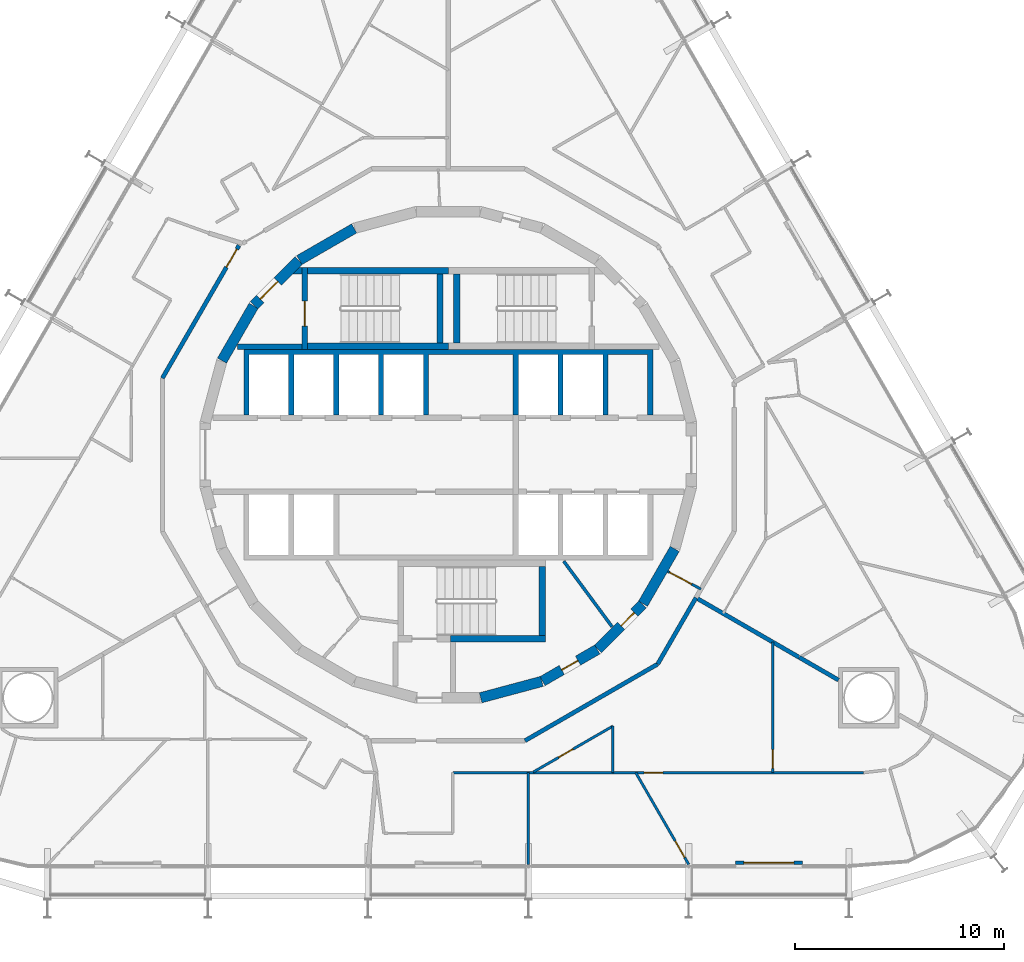
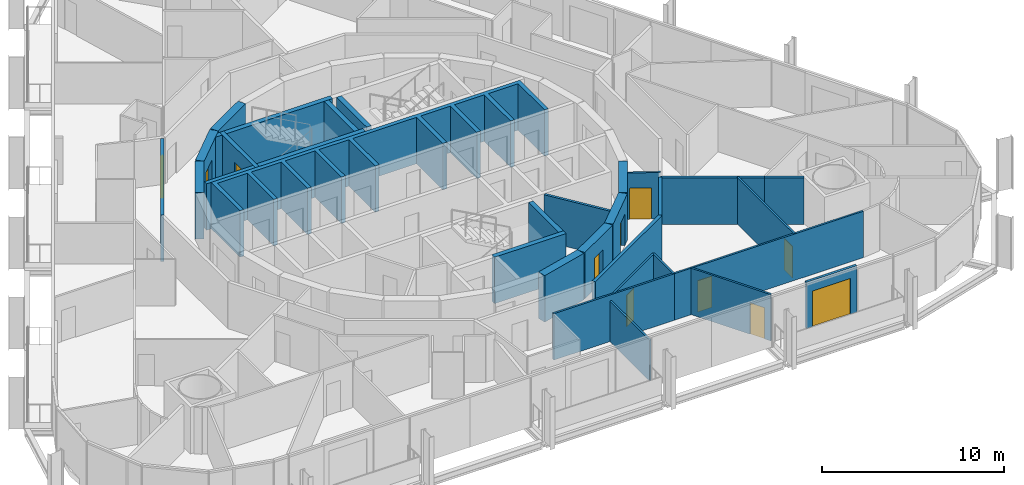
# One storey, part 15 of 21: 32 walls, 11 doors, 11 openings.
"""IFC4 building model written with IfcOpenShell, lengths in metres."""

from ifc_helpers import new_model, si_unit, direction, frame, frame_2d, origin, place, context, subcontext, project, spatial, polyline, rectangle, outline, extrude, material, layer, layer_set, type_object, element, fill, save


model = new_model("IFC4")

# Units and contexts
model_context = context("Model", 3, precision=1e-05, world=origin(), true_north=direction((0.0, 1.0)))
body_context = subcontext(model_context, "Body", "Model", "MODEL_VIEW")
ifc_project = project(units=[si_unit("LENGTHUNIT", "METRE"), si_unit("AREAUNIT", "SQUARE_METRE"), si_unit("VOLUMEUNIT", "CUBIC_METRE"), si_unit("PLANEANGLEUNIT", "RADIAN"), si_unit("MASSUNIT", "GRAM", prefix="KILO")], contexts=[model_context])

# Site, building, storey
site_placement = place(None, origin())
site = spatial("IfcSite", under=ifc_project, at=site_placement, CompositionType="ELEMENT")
building_placement = place(site_placement, origin())
building = spatial("IfcBuilding", under=site, at=building_placement, Name="Spindle Arch Residences", CompositionType="ELEMENT")
storey_placement = place(building_placement, frame((0.0, 0.0, 62.89990234375)))
storey = spatial("IfcBuildingStorey", under=building, at=storey_placement, Name="L14", CompositionType="ELEMENT", Elevation=62.89990234375)

# Wall
ifc_material_1 = material(Name="Concrete C50/60", Category="concrete")
ifc_layer_1 = layer(ifc_material_1, 0.5)
ifc_layer_set_1 = layer_set([ifc_layer_1], Name="Core outline wall 500")
wall_type_1 = type_object("IfcWallType", Name="Core outline wall 500", PredefinedType="SHEAR", material=ifc_layer_set_1)
wall_1_placement = place(storey_placement, frame((1.5498046875, -11.642822265625, 0.0), z_axis=(0.0, 0.0, 1.0), x_axis=(0.965948410781, 0.258734743916, 0.0)))
element("IfcWall", 1, at=wall_1_placement, inside=storey, type_object=wall_type_1, Name="Core outline wall 1", PredefinedType="SHEAR", context=body_context, shape_type="SweptSolid", body=[
    extrude(rectangle(XDim=3.03271484375, YDim=0.5, at=frame_2d((1.516357421875, 0.0))), origin(), (0.0, 0.0, 1.0), 3.1201171875),
])

# Wall, opening, door
wall_2_placement = place(storey_placement, frame((4.510498046875, -10.84521484375, 0.0), z_axis=(0.0, 0.0, 1.0), x_axis=(0.865975092491, 0.500087131594, 0.0)))
wall_2 = element("IfcWall", 2, at=wall_2_placement, inside=storey, type_object=wall_type_1, Name="Core outline wall 2", PredefinedType="SHEAR", context=body_context, shape_type="SweptSolid", body=[
    extrude(rectangle(XDim=3.03271484375, YDim=0.5, at=frame_2d((1.516357421875, 0.0))), origin(), (0.0, 0.0, 1.0), 3.1201171875),
])
opening_1_placement = place(wall_2_placement, frame((1.06640625, 0.0, 0.0)))
opening_1 = element("IfcOpeningElement", 3, at=opening_1_placement, cuts=wall_2, Name="Opening R1C1-WD06", PredefinedType="OPENING", context=body_context, shape_type="SweptSolid", body=[
    extrude(rectangle(XDim=0.89990234375, YDim=2.10009765625, at=frame_2d((0.449951171875, 1.050048828125))), frame((0.0, 0.260009765625, 0.0), z_axis=(0.0, -1.0, 0.0), x_axis=(1.0, 0.0, 0.0)), (0.0, 0.0, 1.0), 0.52001953125),
])
ifc_material_2 = material(Name="Steel, fire-resisting door", Category="steel")
door_type_1 = type_object("IfcDoorType", Name="Service room door 900x2100", OperationType="SINGLE_SWING_LEFT", PredefinedType="DOOR", material=ifc_material_2)
door_1_placement = place(opening_1_placement, origin())
door_1 = element("IfcDoor", 4, at=door_1_placement, inside=storey, type_object=door_type_1, Name="Service room door R1C1-WD06", OperationType="SINGLE_SWING_LEFT", OverallHeight=2.10009765625, OverallWidth=0.89990234375, PredefinedType="DOOR", context=body_context, shape_type="SweptSolid", body=[
    extrude(rectangle(XDim=0.89990234375, YDim=2.10009765625, at=frame_2d((0.449951171875, 1.050048828125))), frame((0.0, 0.02490234375, 0.0), z_axis=(0.0, -1.0, 0.0), x_axis=(1.0, 0.0, 0.0)), (0.0, 0.0, 1.0), 0.050048828125),
])
fill(opening_1, door_1)

wall_3_placement = place(storey_placement, frame((7.163818359375, -9.30810546875, 0.0), z_axis=(0.0, 0.0, 1.0), x_axis=(0.707106781187, 0.707106781187, 0.0)))
wall_3 = element("IfcWall", 5, at=wall_3_placement, inside=storey, type_object=wall_type_1, Name="Core outline wall 3", PredefinedType="SHEAR", context=body_context, shape_type="SweptSolid", body=[
    extrude(rectangle(XDim=3.032470703125, YDim=0.5, at=frame_2d((1.51611328125, 0.0))), origin(), (0.0, 0.0, 1.0), 3.1201171875),
])
opening_2_placement = place(wall_3_placement, frame((1.56640625, 0.0, 0.0)))
opening_2 = element("IfcOpeningElement", 6, at=opening_2_placement, cuts=wall_3, Name="Opening R1C1-WD07", PredefinedType="OPENING", context=body_context, shape_type="SweptSolid", body=[
    extrude(rectangle(XDim=0.89990234375, YDim=2.10009765625, at=frame_2d((0.449951171875, 1.050048828125))), frame((0.0, 0.260009765625, 0.0), z_axis=(0.0, -1.0, 0.0), x_axis=(1.0, 0.0, 0.0)), (0.0, 0.0, 1.0), 0.52001953125),
])
door_2_placement = place(opening_2_placement, origin())
door_2 = element("IfcDoor", 7, at=door_2_placement, inside=storey, type_object=door_type_1, Name="Service room door R1C1-WD07", OperationType="SINGLE_SWING_RIGHT", OverallHeight=2.10009765625, OverallWidth=0.89990234375, PredefinedType="DOOR", context=body_context, shape_type="SweptSolid", body=[
    extrude(rectangle(XDim=0.89990234375, YDim=2.10009765625, at=frame_2d((0.449951171875, 1.050048828125))), frame((0.0, 0.02490234375, 0.0), z_axis=(0.0, -1.0, 0.0), x_axis=(1.0, 0.0, 0.0)), (0.0, 0.0, 1.0), 0.050048828125),
])
fill(opening_2, door_2)

# Walls
for number, where, z_axis, x_axis, name in (
    (8, (9.32861328125, -7.13671875, 0.0), (0.0, 0.0, 1.0), (0.500087131594, 0.865975092491, 0.0), "Core outline wall 4"),
    (9, (-4.510498046875, 10.84521484375, 0.0), (0.0, 0.0, 1.0), (-0.865975092491, -0.500087131594, 0.0), "Core outline wall 14"),
):
    element("IfcWall", number, at=place(storey_placement, frame(where, z_axis=z_axis, x_axis=x_axis)), inside=storey, type_object=wall_type_1, Name=name, PredefinedType="SHEAR", context=body_context, shape_type="SweptSolid", body=[
        extrude(rectangle(XDim=3.03271484375, YDim=0.5, at=frame_2d((1.516357421875, 0.0))), origin(), (0.0, 0.0, 1.0), 3.1201171875),
    ])

# Wall, opening, door
wall_4_placement = place(storey_placement, frame((-7.163818359375, 9.30810546875, 0.0), z_axis=(0.0, 0.0, 1.0), x_axis=(-0.707106781187, -0.707106781187, 0.0)))
wall_4 = element("IfcWall", 10, at=wall_4_placement, inside=storey, type_object=wall_type_1, Name="Core outline wall 15", PredefinedType="SHEAR", context=body_context, shape_type="SweptSolid", body=[
    extrude(rectangle(XDim=3.032470703125, YDim=0.5, at=frame_2d((1.51611328125, 0.0))), origin(), (0.0, 0.0, 1.0), 3.1201171875),
])
opening_3_placement = place(wall_4_placement, frame((1.416259765625, 0.0, 0.0)))
opening_3 = element("IfcOpeningElement", 11, at=opening_3_placement, cuts=wall_4, Name="Opening R1C1-AD02", PredefinedType="OPENING", context=body_context, shape_type="SweptSolid", body=[
    extrude(rectangle(XDim=1.199951171875, YDim=2.10009765625, at=frame_2d((0.60009765625, 1.050048828125))), frame((0.0, 0.260009765625, 0.0), z_axis=(0.0, -1.0, 0.0), x_axis=(1.0, 0.0, 0.0)), (0.0, 0.0, 1.0), 0.52001953125),
])
ifc_material_3 = material(Name="Steel, fire-resisting door", Category="steel")
door_type_2 = type_object("IfcDoorType", Name="Stair airlock door 1200x2100", OperationType="SINGLE_SWING_LEFT", PredefinedType="DOOR", material=ifc_material_3)
door_3_placement = place(opening_3_placement, origin())
door_3 = element("IfcDoor", 12, at=door_3_placement, inside=storey, type_object=door_type_2, Name="Stair airlock door R1C1-AD02", OperationType="SINGLE_SWING_RIGHT", OverallHeight=2.10009765625, OverallWidth=1.199951171875, PredefinedType="DOOR", context=body_context, shape_type="SweptSolid", body=[
    extrude(rectangle(XDim=1.199951171875, YDim=2.10009765625, at=frame_2d((0.60009765625, 1.050048828125))), frame((0.0, 0.02490234375, 0.0), z_axis=(0.0, -1.0, 0.0), x_axis=(1.0, 0.0, 0.0)), (0.0, 0.0, 1.0), 0.050048828125),
])
fill(opening_3, door_3)

# Wall
wall_5_placement = place(storey_placement, frame((-9.32861328125, 7.13671875, 0.0), z_axis=(0.0, 0.0, 1.0), x_axis=(-0.500087131594, -0.865975092491, 0.0)))
element("IfcWall", 13, at=wall_5_placement, inside=storey, type_object=wall_type_1, Name="Core outline wall 16", PredefinedType="SHEAR", context=body_context, shape_type="SweptSolid", body=[
    extrude(rectangle(XDim=3.03271484375, YDim=0.5, at=frame_2d((1.516357421875, 0.0))), origin(), (0.0, 0.0, 1.0), 3.1201171875),
])

# Wall, opening, door
ifc_material_4 = material(Name="Plasterboard on steel studs", Category="steel")
ifc_layer_2 = layer(ifc_material_4, 0.1201171875)
ifc_layer_set_2 = layer_set([ifc_layer_2], Name="Corridor division wall 120")
wall_type_2 = type_object("IfcWallType", Name="Corridor division wall 120", PredefinedType="PARTITIONING", material=ifc_layer_set_2)
wall_6_placement = place(storey_placement, frame((10.510986328125, -5.5888671875, 0.0), z_axis=(0.0, 0.0, 1.0), x_axis=(0.88294043061, -0.469485032769, 0.0)))
wall_6 = element("IfcWall", 14, at=wall_6_placement, inside=storey, type_object=wall_type_2, Name="Corridor division wall R1C1-W002", PredefinedType="PARTITIONING", context=body_context, shape_type="SweptSolid", body=[
    extrude(rectangle(XDim=1.803955078125, YDim=0.1201171875, at=frame_2d((0.90185546875, 0.0))), origin(), (0.0, 0.0, 1.0), 3.1201171875),
])
opening_4_placement = place(wall_6_placement, frame((0.10009765625, 0.0, 0.0)))
opening_4 = element("IfcOpeningElement", 15, at=opening_4_placement, cuts=wall_6, Name="Opening R1C1-CD02", PredefinedType="OPENING", context=body_context, shape_type="SweptSolid", body=[
    extrude(rectangle(XDim=1.199951171875, YDim=2.10009765625, at=frame_2d((0.60009765625, 1.050048828125))), frame((0.0, 0.070068359375, 0.0), z_axis=(0.0, -1.0, 0.0), x_axis=(1.0, 0.0, 0.0)), (0.0, 0.0, 1.0), 0.14013671875),
])
ifc_material_5 = material(Name="Steel, fire-resisting door", Category="steel")
door_type_3 = type_object("IfcDoorType", Name="Corridor division door 1200x2100", OperationType="NOTDEFINED", PredefinedType="DOOR", material=ifc_material_5)
door_4_placement = place(opening_4_placement, origin())
door_4 = element("IfcDoor", 16, at=door_4_placement, inside=storey, type_object=door_type_3, Name="Corridor division door R1C1-CD02", OperationType="DOUBLE_DOOR_SINGLE_SWING", OverallHeight=2.10009765625, OverallWidth=1.199951171875, PredefinedType="DOOR", context=body_context, shape_type="SweptSolid", body=[
    extrude(rectangle(XDim=1.199951171875, YDim=2.10009765625, at=frame_2d((0.60009765625, 1.050048828125))), frame((0.0, 0.02490234375, 0.0), z_axis=(0.0, -1.0, 0.0), x_axis=(1.0, 0.0, 0.0)), (0.0, 0.0, 1.0), 0.050048828125),
])
fill(opening_4, door_4)

ifc_material_6 = material(Name="Calcium silicate block, plastered")
ifc_layer_3 = layer(ifc_material_6, 0.199951171875)
ifc_layer_set_3 = layer_set([ifc_layer_3], Name="Corridor wall 200")
wall_type_3 = type_object("IfcWallType", Name="Corridor wall 200", PredefinedType="STANDARD", material=ifc_layer_set_3)
wall_7_placement = place(storey_placement, frame((-10.029052734375, 10.029052734375, 0.0), z_axis=(0.0, 0.0, 1.0), x_axis=(-0.500001669485, -0.866024439905, 0.0)))
wall_7 = element("IfcWall", 17, at=wall_7_placement, inside=storey, type_object=wall_type_3, Name="Corridor wall R1C1-W010", PredefinedType="STANDARD", context=body_context, shape_type="SweptSolid", body=[
    extrude(rectangle(XDim=7.341796875, YDim=0.199951171875, at=frame_2d((3.6708984375, 0.0))), origin(), (0.0, 0.0, 1.0), 3.1201171875),
])
opening_5_placement = place(wall_7_placement, frame((0.199951171875, 0.0, 0.0)))
opening_5 = element("IfcOpeningElement", 18, at=opening_5_placement, cuts=wall_7, Name="Opening R1C1-FD03", PredefinedType="OPENING", context=body_context, shape_type="SweptSolid", body=[
    extrude(rectangle(XDim=1.0, YDim=2.10009765625, at=frame_2d((0.5, 1.050048828125))), frame((0.0, 0.10986328125, 0.0), z_axis=(0.0, -1.0, 0.0), x_axis=(1.0, 0.0, 0.0)), (0.0, 0.0, 1.0), 0.219970703125),
])
ifc_material_7 = material(Name="Timber, fire-resisting door set", Category="wood")
door_type_4 = type_object("IfcDoorType", Name="Flat entrance door 1000x2100", OperationType="NOTDEFINED", PredefinedType="DOOR", material=ifc_material_7)
door_5_placement = place(opening_5_placement, origin())
door_5 = element("IfcDoor", 19, at=door_5_placement, inside=storey, type_object=door_type_4, Name="Flat entrance door R1C1-FD03", OperationType="SINGLE_SWING_LEFT", OverallHeight=2.10009765625, OverallWidth=1.0, PredefinedType="DOOR", context=body_context, shape_type="SweptSolid", body=[
    extrude(rectangle(XDim=1.0, YDim=2.10009765625, at=frame_2d((0.5, 1.050048828125))), frame((0.0, 0.02490234375, 0.0), z_axis=(0.0, -1.0, 0.0), x_axis=(1.0, 0.0, 0.0)), (0.0, 0.0, 1.0), 0.050048828125),
])
fill(opening_5, door_5)

# Walls
wall_8_placement = place(storey_placement, frame((3.6708984375, -13.699951171875, 0.0), z_axis=(0.0, 0.0, 1.0), x_axis=(0.866024439905, 0.500001669485, 0.0)))
element("IfcWall", 20, at=wall_8_placement, inside=storey, type_object=wall_type_3, Name="Corridor wall R1C1-W015", PredefinedType="STANDARD", context=body_context, shape_type="SweptSolid", body=[
    extrude(rectangle(XDim=7.341796875, YDim=0.199951171875, at=frame_2d((3.6708984375, 0.0))), origin(), (0.0, 0.0, 1.0), 3.1201171875),
])
wall_9_placement = place(storey_placement, frame((10.029052734375, -10.029052734375, 0.0), z_axis=(0.0, 0.0, 1.0), x_axis=(0.50001606911, 0.866016126081, 0.0)))
element("IfcWall", 21, at=wall_9_placement, inside=storey, type_object=wall_type_3, Name="Corridor wall R1C1-W016", PredefinedType="STANDARD", context=body_context, shape_type="SweptSolid", body=[
    extrude(rectangle(XDim=3.6708984375, YDim=0.199951171875, at=frame_2d((1.83544921875, 0.0))), origin(), (0.0, 0.0, 1.0), 3.1201171875),
])
ifc_material_8 = material(Name="Plasterboard on steel studs", Category="steel")
ifc_layer_4 = layer(ifc_material_8, 0.1201171875)
ifc_layer_set_4 = layer_set([ifc_layer_4], Name="Flat partition 120")
wall_type_4 = type_object("IfcWallType", Name="Flat partition 120", PredefinedType="PARTITIONING", material=ifc_layer_set_4)
wall_10_placement = place(storey_placement, frame((0.21484375, -15.22998046875, 0.0), z_axis=(0.0, 0.0, 1.0), x_axis=(1.0, 0.0, 0.0)))
element("IfcWall", 22, at=wall_10_placement, inside=storey, type_object=wall_type_4, Name="Flat partition R1C1-W099", PredefinedType="PARTITIONING", context=body_context, shape_type="SweptSolid", body=[
    extrude(rectangle(XDim=7.66650390625, YDim=0.1201171875, at=frame_2d((3.833251953125, 0.0))), origin(), (0.0, 0.0, 1.0), 3.1201171875),
])

# Wall, opening, door
wall_11_placement = place(storey_placement, frame((7.88134765625, -15.22998046875, 0.0), z_axis=(0.0, 0.0, 1.0), x_axis=(1.0, 0.0, 0.0)))
wall_11 = element("IfcWall", 23, at=wall_11_placement, inside=storey, type_object=wall_type_4, Name="Flat partition R1C1-W100", PredefinedType="PARTITIONING", context=body_context, shape_type="SweptSolid", body=[
    extrude(rectangle(XDim=12.006103515625, YDim=0.1201171875, at=frame_2d((6.0029296875, 0.0))), origin(), (0.0, 0.0, 1.0), 3.1201171875),
])
opening_6_placement = place(wall_11_placement, frame((1.49853515625, 0.0, 0.0)))
opening_6 = element("IfcOpeningElement", 24, at=opening_6_placement, cuts=wall_11, Name="Opening R1C1-ID25", PredefinedType="OPENING", context=body_context, shape_type="SweptSolid", body=[
    extrude(rectangle(XDim=0.89990234375, YDim=2.10009765625, at=frame_2d((0.449951171875, 1.050048828125))), frame((0.0, 0.070068359375, 0.0), z_axis=(0.0, -1.0, 0.0), x_axis=(1.0, 0.0, 0.0)), (0.0, 0.0, 1.0), 0.14013671875),
])
ifc_material_9 = material(Name="Timber door set", Category="wood")
door_type_5 = type_object("IfcDoorType", Name="Room door 900x2100", OperationType="NOTDEFINED", PredefinedType="DOOR", material=ifc_material_9)
door_6_placement = place(opening_6_placement, origin())
door_6 = element("IfcDoor", 25, at=door_6_placement, inside=storey, type_object=door_type_5, Name="Room door R1C1-ID25", OperationType="SINGLE_SWING_RIGHT", OverallHeight=2.10009765625, OverallWidth=0.89990234375, PredefinedType="DOOR", context=body_context, shape_type="SweptSolid", body=[
    extrude(rectangle(XDim=0.89990234375, YDim=2.10009765625, at=frame_2d((0.449951171875, 1.050048828125))), frame((0.0, 0.02490234375, 0.0), z_axis=(0.0, -1.0, 0.0), x_axis=(1.0, 0.0, 0.0)), (0.0, 0.0, 1.0), 0.050048828125),
])
fill(opening_6, door_6)

wall_12_placement = place(storey_placement, frame((4.07275390625, -15.199951171875, 0.0), z_axis=(0.0, 0.0, 1.0), x_axis=(0.866041369968, 0.499972344739, 0.0)))
wall_12 = element("IfcWall", 26, at=wall_12_placement, inside=storey, type_object=wall_type_4, Name="Flat partition R1C1-W101", PredefinedType="PARTITIONING", context=body_context, shape_type="SweptSolid", body=[
    extrude(rectangle(XDim=4.397705078125, YDim=0.1201171875, at=frame_2d((2.19873046875, 0.0))), origin(), (0.0, 0.0, 1.0), 3.1201171875),
])
opening_7_placement = place(wall_12_placement, frame((1.39990234375, 0.0, 0.0)))
opening_7 = element("IfcOpeningElement", 27, at=opening_7_placement, cuts=wall_12, Name="Opening R1C1-BD06", PredefinedType="OPENING", context=body_context, shape_type="SweptSolid", body=[
    extrude(rectangle(XDim=0.800048828125, YDim=2.10009765625, at=frame_2d((0.39990234375, 1.050048828125))), frame((0.0, 0.070068359375, 0.0), z_axis=(0.0, -1.0, 0.0), x_axis=(1.0, 0.0, 0.0)), (0.0, 0.0, 1.0), 0.14013671875),
])
ifc_material_10 = material(Name="Timber door set", Category="wood")
door_type_6 = type_object("IfcDoorType", Name="Bathroom door 800x2100", OperationType="NOTDEFINED", PredefinedType="DOOR", material=ifc_material_10)
door_7_placement = place(opening_7_placement, origin())
door_7 = element("IfcDoor", 28, at=door_7_placement, inside=storey, type_object=door_type_6, Name="Bathroom door R1C1-BD06", OperationType="SINGLE_SWING_RIGHT", OverallHeight=2.10009765625, OverallWidth=0.800048828125, PredefinedType="DOOR", context=body_context, shape_type="SweptSolid", body=[
    extrude(rectangle(XDim=0.800048828125, YDim=2.10009765625, at=frame_2d((0.39990234375, 1.050048828125))), frame((0.0, 0.02490234375, 0.0), z_axis=(0.0, -1.0, 0.0), x_axis=(1.0, 0.0, 0.0)), (0.0, 0.0, 1.0), 0.050048828125),
])
fill(opening_7, door_7)

# Wall
wall_13_placement = place(storey_placement, frame((7.88134765625, -13.001220703125, 0.0), z_axis=(0.0, 0.0, 1.0), x_axis=(0.0, -1.0, 0.0)))
element("IfcWall", 29, at=wall_13_placement, inside=storey, type_object=wall_type_4, Name="Flat partition R1C1-W102", PredefinedType="PARTITIONING", context=body_context, shape_type="SweptSolid", body=[
    extrude(rectangle(XDim=2.228759765625, YDim=0.1201171875, at=frame_2d((1.1142578125, 0.0))), origin(), (0.0, 0.0, 1.0), 3.1201171875),
])

# Wall, opening, door
wall_14_placement = place(storey_placement, frame((15.5478515625, -15.22998046875, 0.0), z_axis=(0.0, 0.0, 1.0), x_axis=(0.0, 1.0, 0.0)))
wall_14 = element("IfcWall", 30, at=wall_14_placement, inside=storey, type_object=wall_type_4, Name="Flat partition R1C1-W103", PredefinedType="PARTITIONING", context=body_context, shape_type="SweptSolid", body=[
    extrude(rectangle(XDim=6.25341796875, YDim=0.1201171875, at=frame_2d((3.126708984375, 0.0))), origin(), (0.0, 0.0, 1.0), 3.1201171875),
])
opening_8_placement = place(wall_14_placement, frame((0.199951171875, 0.0, 0.0)))
opening_8 = element("IfcOpeningElement", 31, at=opening_8_placement, cuts=wall_14, Name="Opening R1C1-ID26", PredefinedType="OPENING", context=body_context, shape_type="SweptSolid", body=[
    extrude(rectangle(XDim=0.89990234375, YDim=2.10009765625, at=frame_2d((0.449951171875, 1.050048828125))), frame((0.0, 0.070068359375, 0.0), z_axis=(0.0, -1.0, 0.0), x_axis=(1.0, 0.0, 0.0)), (0.0, 0.0, 1.0), 0.14013671875),
])
door_8_placement = place(opening_8_placement, origin())
door_8 = element("IfcDoor", 32, at=door_8_placement, inside=storey, type_object=door_type_5, Name="Room door R1C1-ID26", OperationType="SINGLE_SWING_RIGHT", OverallHeight=2.10009765625, OverallWidth=0.89990234375, PredefinedType="DOOR", context=body_context, shape_type="SweptSolid", body=[
    extrude(rectangle(XDim=0.89990234375, YDim=2.10009765625, at=frame_2d((0.449951171875, 1.050048828125))), frame((0.0, 0.02490234375, 0.0), z_axis=(0.0, -1.0, 0.0), x_axis=(1.0, 0.0, 0.0)), (0.0, 0.0, 1.0), 0.050048828125),
])
fill(opening_8, door_8)

wall_15_placement = place(storey_placement, frame((11.52001953125, -19.6298828125, 0.0), z_axis=(0.0, 0.0, 1.0), x_axis=(-0.499999763888, 0.866025540104, 0.0)))
wall_15 = element("IfcWall", 33, at=wall_15_placement, inside=storey, type_object=wall_type_4, Name="Flat partition R1C1-W105", PredefinedType="PARTITIONING", context=body_context, shape_type="SweptSolid", body=[
    extrude(rectangle(XDim=5.08056640625, YDim=0.1201171875, at=frame_2d((2.540283203125, 0.0))), origin(), (0.0, 0.0, 1.0), 3.1201171875),
])
opening_9_placement = place(wall_15_placement, frame((0.39990234375, 0.0, 0.0)))
opening_9 = element("IfcOpeningElement", 34, at=opening_9_placement, cuts=wall_15, Name="Opening R1C1-ID27", PredefinedType="OPENING", context=body_context, shape_type="SweptSolid", body=[
    extrude(rectangle(XDim=0.89990234375, YDim=2.10009765625, at=frame_2d((0.449951171875, 1.050048828125))), frame((0.0, 0.070068359375, 0.0), z_axis=(0.0, -1.0, 0.0), x_axis=(1.0, 0.0, 0.0)), (0.0, 0.0, 1.0), 0.14013671875),
])
door_9_placement = place(opening_9_placement, origin())
door_9 = element("IfcDoor", 35, at=door_9_placement, inside=storey, type_object=door_type_5, Name="Room door R1C1-ID27", OperationType="SINGLE_SWING_LEFT", OverallHeight=2.10009765625, OverallWidth=0.89990234375, PredefinedType="DOOR", context=body_context, shape_type="SweptSolid", body=[
    extrude(rectangle(XDim=0.89990234375, YDim=2.10009765625, at=frame_2d((0.449951171875, 1.050048828125))), frame((0.0, 0.02490234375, 0.0), z_axis=(0.0, -1.0, 0.0), x_axis=(1.0, 0.0, 0.0)), (0.0, 0.0, 1.0), 0.050048828125),
])
fill(opening_9, door_9)

# Walls
ifc_material_11 = material(Name="Plasterboard on steel studs", Category="steel")
ifc_layer_5 = layer(ifc_material_11, 0.1201171875)
ifc_layer_set_5 = layer_set([ifc_layer_5], Name="Flat partition 120 under beam 2730")
wall_type_5 = type_object("IfcWallType", Name="Flat partition 120 under beam 2730", PredefinedType="PARTITIONING", material=ifc_layer_set_5)
wall_16_placement = place(storey_placement, frame((3.840087890625, -19.6298828125, 0.0), z_axis=(0.0, 0.0, 1.0), x_axis=(0.0, 1.0, 0.0)))
element("IfcWall", 36, at=wall_16_placement, inside=storey, type_object=wall_type_5, Name="Flat partition R1C1-W104", PredefinedType="PARTITIONING", context=body_context, shape_type="SweptSolid", body=[
    extrude(rectangle(XDim=4.39990234375, YDim=0.1201171875, at=frame_2d((2.199951171875, 0.0))), origin(), (0.0, 0.0, 1.0), 2.72998046875),
])
ifc_material_12 = material(Name="Calcium silicate block, plastered")
ifc_layer_6 = layer(ifc_material_12, 0.199951171875)
ifc_layer_set_6 = layer_set([ifc_layer_6], Name="Flat party wall 200")
wall_type_6 = type_object("IfcWallType", Name="Flat party wall 200", PredefinedType="STANDARD", material=ifc_layer_set_6)
wall_17_placement = place(storey_placement, frame((16.816650390625, -9.708984375, 0.0), z_axis=(0.0, 0.0, 1.0), x_axis=(-0.86604338933, 0.499968846828, 0.0)))
element("IfcWall", 37, at=wall_17_placement, inside=storey, type_object=wall_type_6, Name="Flat party wall R1C1-W029", PredefinedType="STANDARD", context=body_context, shape_type="SweptSolid", body=[
    extrude(rectangle(XDim=5.718017578125, YDim=0.199951171875, at=frame_2d((2.85888671875, 0.0))), origin(), (0.0, 0.0, 1.0), 3.1201171875),
])
wall_18_placement = place(storey_placement, frame((18.693603515625, -10.792724609375, 0.0), z_axis=(0.0, 0.0, 1.0), x_axis=(-0.866009251978, 0.500027974705, 0.0)))
element("IfcWall", 38, at=wall_18_placement, inside=storey, type_object=wall_type_6, Name="Flat party wall R1C1-W031", PredefinedType="STANDARD", context=body_context, shape_type="SweptSolid", body=[
    extrude(rectangle(XDim=2.16748046875, YDim=0.199951171875, at=frame_2d((1.083740234375, 0.0))), origin(), (0.0, 0.0, 1.0), 3.1201171875),
])

# Wall, opening, door
ifc_material_13 = material(Name="Non-combustible mineral wool insulated aluminium faced external wall (K0)", Category="aluminium")
ifc_layer_7 = layer(ifc_material_13, 0.159912109375)
ifc_layer_set_7 = layer_set([ifc_layer_7], Name="Insulated external wall panel 160")
wall_type_7 = type_object("IfcWallType", Name="Insulated external wall panel 160", PredefinedType="STANDARD", material=ifc_layer_set_7)
wall_19_placement = place(storey_placement, frame((13.76025390625, -19.5498046875, 0.0), z_axis=(0.0, 0.0, 1.0), x_axis=(1.0, 0.0, 0.0)))
wall_19 = element("IfcWall", 39, at=wall_19_placement, inside=storey, type_object=wall_type_7, Name="External wall L14 bay 2", PredefinedType="STANDARD", context=body_context, shape_type="SweptSolid", body=[
    extrude(rectangle(XDim=3.199951171875, YDim=0.159912109375, at=frame_2d((1.60009765625, 0.0))), origin(), (0.0, 0.0, 1.0), 3.1201171875),
])
opening_10_placement = place(wall_19_placement, frame((0.39990234375, 0.0, 0.0)))
opening_10 = element("IfcOpeningElement", 40, at=opening_10_placement, cuts=wall_19, Name="Opening BD02", PredefinedType="OPENING", context=body_context, shape_type="SweptSolid", body=[
    extrude(rectangle(XDim=2.39990234375, YDim=2.39990234375, at=frame_2d((1.199951171875, 1.199951171875))), frame((0.0, 0.08984375, 0.0), z_axis=(0.0, -1.0, 0.0), x_axis=(1.0, 0.0, 0.0)), (0.0, 0.0, 1.0), 0.179931640625),
])
ifc_material_14 = material(Name="Bronze aluminium frame, tinted double glazing", Category="aluminium")
door_type_7 = type_object("IfcDoorType", Name="Sliding glazed balcony door 2400x2400", OperationType="DOUBLE_DOOR_SLIDING", PredefinedType="DOOR", material=ifc_material_14)
door_10_placement = place(opening_10_placement, origin())
door_10 = element("IfcDoor", 41, at=door_10_placement, inside=storey, type_object=door_type_7, Name="Balcony door BD02", OperationType="DOUBLE_DOOR_SLIDING", OverallHeight=2.39990234375, OverallWidth=2.39990234375, PredefinedType="DOOR", context=body_context, shape_type="SweptSolid", body=[
    extrude(rectangle(XDim=2.39990234375, YDim=2.39990234375, at=frame_2d((1.199951171875, 1.199951171875))), frame((0.0, 0.02490234375, 0.0), z_axis=(0.0, -1.0, 0.0), x_axis=(1.0, 0.0, 0.0)), (0.0, 0.0, 1.0), 0.050048828125),
])
fill(opening_10, door_10)

# Walls
ifc_material_15 = material(Name="Concrete C50/60", Category="concrete")
wall_type_8 = type_object("IfcWallType", Name="Lift shaft wall profile", PredefinedType="SHEAR", material=ifc_material_15)
wall_20_placement = place(storey_placement, origin())
element("IfcWall", 42, at=wall_20_placement, inside=storey, type_object=wall_type_8, Name="Lift shaft walls N", PredefinedType="SHEAR", context=body_context, shape_type="SweptSolid", body=[
    extrude(outline(polyline([(-9.550048828125, 4.800048828125), (-7.64990234375, 4.800048828125), (-7.64990234375, 1.89990234375), (-7.39990234375, 1.89990234375), (-7.39990234375, 4.800048828125), (-5.5, 4.800048828125), (-5.5, 1.89990234375), (-5.25, 1.89990234375), (-5.25, 4.800048828125), (-3.35009765625, 4.800048828125), (-3.35009765625, 1.89990234375), (-3.10009765625, 1.89990234375), (-3.10009765625, 4.800048828125), (-1.199951171875, 4.800048828125), (-1.199951171875, 1.89990234375), (-0.949951171875, 1.89990234375), (-0.949951171875, 4.800048828125), (3.10009765625, 4.800048828125), (3.10009765625, 1.89990234375), (3.35009765625, 1.89990234375), (3.35009765625, 4.800048828125), (5.25, 4.800048828125), (5.25, 1.89990234375), (5.5, 1.89990234375), (5.5, 4.800048828125), (7.39990234375, 4.800048828125), (7.39990234375, 1.89990234375), (7.64990234375, 1.89990234375), (7.64990234375, 4.800048828125), (9.550048828125, 4.800048828125), (9.550048828125, 1.89990234375), (9.800048828125, 1.89990234375), (9.800048828125, 4.800048828125), (9.800048828125, 5.050048828125), (-9.800048828125, 5.050048828125), (-9.800048828125, 4.800048828125), (-9.800048828125, 1.89990234375), (-9.550048828125, 1.89990234375), (-9.550048828125, 4.800048828125)])), origin(), (0.0, 0.0, 1.0), 3.1201171875),
])
ifc_material_16 = material(Name="Concrete C25/30", Category="concrete")
ifc_layer_8 = layer(ifc_material_16, 0.14990234375)
ifc_layer_set_8 = layer_set([ifc_layer_8], Name="Service room partition 150")
wall_type_9 = type_object("IfcWallType", Name="Service room partition 150", PredefinedType="PARTITIONING", material=ifc_layer_set_8)
wall_21_placement = place(storey_placement, frame((5.528076171875, -5.098388671875, 0.0), z_axis=(0.0, 0.0, 1.0), x_axis=(0.594034318069, -0.804439698769, 0.0)))
element("IfcWall", 43, at=wall_21_placement, inside=storey, type_object=wall_type_9, Name="Core service room partition", PredefinedType="PARTITIONING", context=body_context, shape_type="SweptSolid", body=[
    extrude(rectangle(XDim=3.90673828125, YDim=0.14990234375, at=frame_2d((1.953369140625, 0.0))), origin(), (0.0, 0.0, 1.0), 3.1201171875),
])
ifc_material_17 = material(Name="Concrete C40/50", Category="concrete")
ifc_layer_9 = layer(ifc_material_17, 0.25)
ifc_layer_set_9 = layer_set([ifc_layer_9], Name="Stair airlock wall 250")
wall_type_10 = type_object("IfcWallType", Name="Stair airlock wall 250", PredefinedType="SHEAR", material=ifc_layer_set_9)
wall_22_placement = place(storey_placement, frame((-7.0, 5.175048828125, 0.0), z_axis=(0.0, 0.0, 1.0), x_axis=(-1.0, 0.0, 0.0)))
element("IfcWall", 44, at=wall_22_placement, inside=storey, type_object=wall_type_10, Name="Stair ST-2 airlock wall S", PredefinedType="SHEAR", context=body_context, shape_type="SweptSolid", body=[
    extrude(rectangle(XDim=3.10009765625, YDim=0.25, at=frame_2d((1.550048828125, 0.0))), origin(), (0.0, 0.0, 1.0), 3.1201171875),
])
ifc_material_18 = material(Name="Concrete C40/50", Category="concrete")
wall_type_11 = type_object("IfcWallType", Name="Stair airlock wall profile", PredefinedType="SHEAR", material=ifc_material_18)
wall_23_placement = place(storey_placement, origin())
element("IfcWall", 45, at=wall_23_placement, inside=storey, type_object=wall_type_11, Name="Stair ST-2 airlock wall N", PredefinedType="SHEAR", context=body_context, shape_type="SweptSolid", body=[
    extrude(outline(polyline([(-7.148193359375, 8.969970703125), (-7.0, 8.969970703125), (-7.0, 8.669921875), (-7.4482421875, 8.669921875), (-7.148193359375, 8.969970703125)])), origin(), (0.0, 0.0, 1.0), 3.1201171875),
])

# Wall, opening, door
ifc_material_19 = material(Name="Concrete C50/60", Category="concrete")
ifc_layer_10 = layer(ifc_material_19, 0.25)
ifc_layer_set_10 = layer_set([ifc_layer_10], Name="Stair enclosure wall 250")
wall_type_12 = type_object("IfcWallType", Name="Stair enclosure wall 250", PredefinedType="SHEAR", material=ifc_layer_set_10)
wall_24_placement = place(storey_placement, frame((-6.875, 8.969970703125, 0.0), z_axis=(0.0, 0.0, 1.0), x_axis=(0.0, -1.0, 0.0)))
wall_24 = element("IfcWall", 46, at=wall_24_placement, inside=storey, type_object=wall_type_12, Name="Stair ST-2 door wall", PredefinedType="SHEAR", context=body_context, shape_type="SweptSolid", body=[
    extrude(rectangle(XDim=3.919921875, YDim=0.25, at=frame_2d((1.9599609375, 0.0))), origin(), (0.0, 0.0, 1.0), 3.1201171875),
])
opening_11_placement = place(wall_24_placement, frame((1.610107421875, 0.0, 0.0)))
opening_11 = element("IfcOpeningElement", 47, at=opening_11_placement, cuts=wall_24, Name="Opening R1C1-SD02", PredefinedType="OPENING", context=body_context, shape_type="SweptSolid", body=[
    extrude(rectangle(XDim=1.199951171875, YDim=2.10009765625, at=frame_2d((0.60009765625, 1.050048828125))), frame((0.0, 0.135009765625, 0.0), z_axis=(0.0, -1.0, 0.0), x_axis=(1.0, 0.0, 0.0)), (0.0, 0.0, 1.0), 0.27001953125),
])
ifc_material_20 = material(Name="Steel, fire-resisting door", Category="steel")
door_type_8 = type_object("IfcDoorType", Name="Stair door 1200x2100", OperationType="SINGLE_SWING_RIGHT", PredefinedType="DOOR", material=ifc_material_20)
door_11_placement = place(opening_11_placement, origin())
door_11 = element("IfcDoor", 48, at=door_11_placement, inside=storey, type_object=door_type_8, Name="Stair door R1C1-SD02", OperationType="SINGLE_SWING_LEFT", OverallHeight=2.10009765625, OverallWidth=1.199951171875, PredefinedType="DOOR", context=body_context, shape_type="SweptSolid", body=[
    extrude(rectangle(XDim=1.199951171875, YDim=2.10009765625, at=frame_2d((0.60009765625, 1.050048828125))), frame((0.0, 0.02490234375, 0.0), z_axis=(0.0, -1.0, 0.0), x_axis=(1.0, 0.0, 0.0)), (0.0, 0.0, 1.0), 0.050048828125),
])
fill(opening_11, door_11)

# Walls
ifc_material_21 = material(Name="Concrete C50/60", Category="concrete")
ifc_layer_11 = layer(ifc_material_21, 0.300048828125)
ifc_layer_set_11 = layer_set([ifc_layer_11], Name="Stair enclosure wall 300")
wall_type_13 = type_object("IfcWallType", Name="Stair enclosure wall 300", PredefinedType="SHEAR", material=ifc_layer_set_11)
wall_25_placement = place(storey_placement, frame((0.39990234375, 5.35009765625, 0.0), z_axis=(0.0, 0.0, 1.0), x_axis=(0.0, 1.0, 0.0)))
element("IfcWall", 49, at=wall_25_placement, inside=storey, type_object=wall_type_13, Name="Stair ST-1 enclosure wall F", PredefinedType="SHEAR", context=body_context, shape_type="SweptSolid", body=[
    extrude(rectangle(XDim=3.31982421875, YDim=0.300048828125, at=frame_2d((1.659912109375, 0.0))), origin(), (0.0, 0.0, 1.0), 3.1201171875),
])
for number, where, z_axis, x_axis, name in (
    (50, (-6.75, 5.199951171875, 0.0), (0.0, 0.0, 1.0), (1.0, 0.0, 0.0), "Stair ST-2 enclosure wall S"),
    (51, (-6.75, 8.820068359375, 0.0), (0.0, 0.0, 1.0), (1.0, 0.0, 0.0), "Stair ST-2 enclosure wall N"),
):
    element("IfcWall", number, at=place(storey_placement, frame(where, z_axis=z_axis, x_axis=x_axis)), inside=storey, type_object=wall_type_13, Name=name, PredefinedType="SHEAR", context=body_context, shape_type="SweptSolid", body=[
        extrude(rectangle(XDim=6.75, YDim=0.300048828125, at=frame_2d((3.375, 0.0))), origin(), (0.0, 0.0, 1.0), 3.1201171875),
    ])
for number, where, z_axis, x_axis, name in (
    (52, (-0.39990234375, 5.35009765625, 0.0), (0.0, 0.0, 1.0), (0.0, 1.0, 0.0), "Stair ST-2 enclosure wall F"),
    (53, (4.5, -8.669921875, 0.0), (0.0, 0.0, 1.0), (0.0, 1.0, 0.0), "Stair ST-3 enclosure wall E"),
):
    element("IfcWall", number, at=place(storey_placement, frame(where, z_axis=z_axis, x_axis=x_axis)), inside=storey, type_object=wall_type_13, Name=name, PredefinedType="SHEAR", context=body_context, shape_type="SweptSolid", body=[
        extrude(rectangle(XDim=3.31982421875, YDim=0.300048828125, at=frame_2d((1.659912109375, 0.0))), origin(), (0.0, 0.0, 1.0), 3.1201171875),
    ])
wall_26_placement = place(storey_placement, frame((0.10009765625, -8.820068359375, 0.0), z_axis=(0.0, 0.0, 1.0), x_axis=(1.0, 0.0, 0.0)))
element("IfcWall", 54, at=wall_26_placement, inside=storey, type_object=wall_type_13, Name="Stair ST-3 enclosure wall S", PredefinedType="SHEAR", context=body_context, shape_type="SweptSolid", body=[
    extrude(rectangle(XDim=4.5498046875, YDim=0.300048828125, at=frame_2d((2.27490234375, 0.0))), origin(), (0.0, 0.0, 1.0), 3.1201171875),
])

save(model, "model.ifc")
